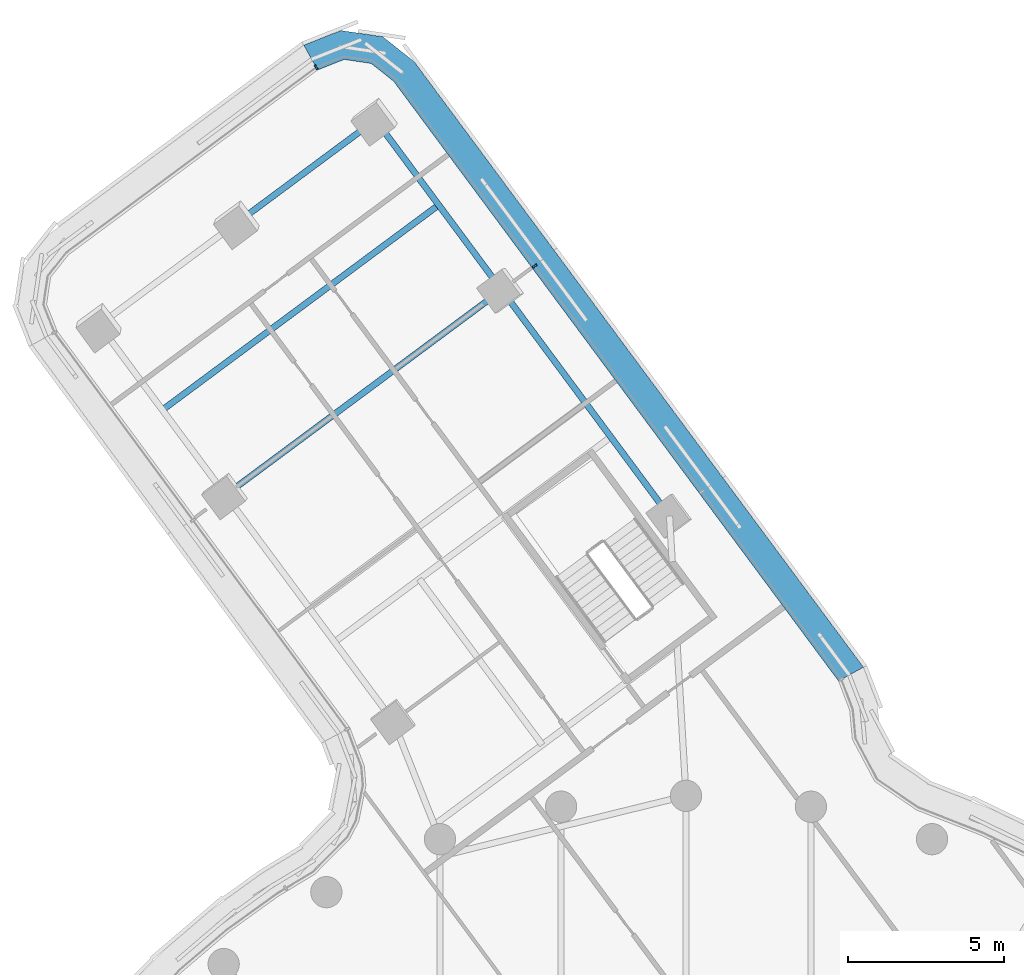
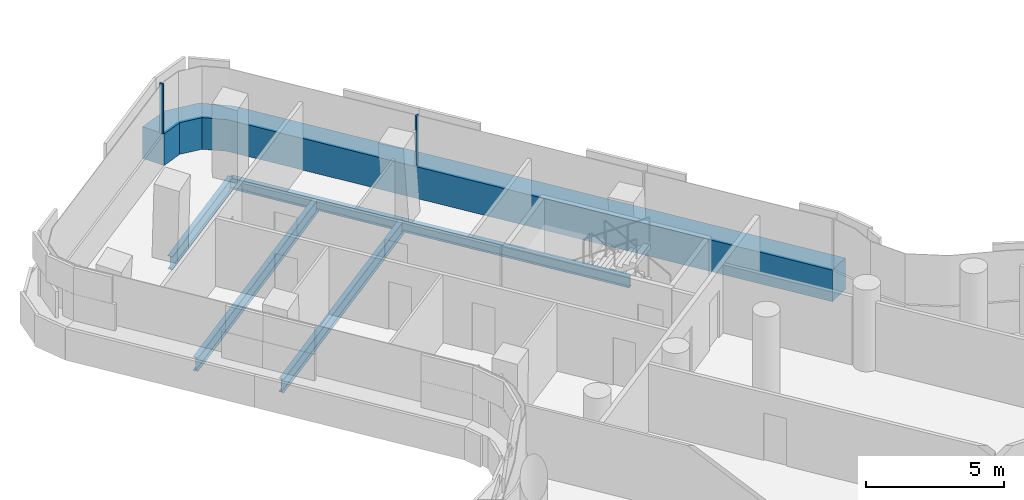
# One storey, part 16 of 32: 5 beams, 3 members, 2 elements without a shape of their own.
"""IFC4 building model written with IfcOpenShell, lengths in metres."""

import ifcopenshell
import ifcopenshell.guid

model = None  # the IFC model being written
_history = None  # IfcOwnerHistory: only IFC2X3 demands one
_inside = {}  # id of a spatial element -> (the spatial element, [elements in it])
_under = {}  # id of a project, library or spatial element -> (it, [spatial elements below it])
_declared = {}  # id of a project -> (the project, [libraries it declares])
_typed = {}  # id of a type object -> (the type object, [elements of that type])
_made_of = {}  # id of a material, layer set ... -> (it, [elements and type objects made of it])


def new_model(schema):
    """Start an empty IFC model of exactly this schema.

    Asked for "IFC4X3", IfcOpenShell would pick the latest addendum, in which some entities
    have other attributes; the version numbers below select the first issue.
    IFC2X3 requires an IfcOwnerHistory on every rooted entity: one is made here for all.
    """
    global model, _history
    if schema == "IFC4X3":
        model = ifcopenshell.file(schema_version=(4, 3, 0, 0))
    else:
        model = ifcopenshell.file(schema=schema)
    _inside.clear()
    _under.clear()
    _declared.clear()
    _typed.clear()
    _made_of.clear()
    _history = None
    if model.schema == "IFC2X3":
        org = make("IfcOrganization", Name="unknown")
        user = make(
            "IfcPersonAndOrganization",
            ThePerson=make("IfcPerson", FamilyName="unknown"),
            TheOrganization=org,
        )
        app = make(
            "IfcApplication",
            ApplicationDeveloper=org,
            Version="unknown",
            ApplicationFullName="unknown",
            ApplicationIdentifier="unknown",
        )
        _history = make(
            "IfcOwnerHistory",
            OwningUser=user,
            OwningApplication=app,
            ChangeAction="ADDED",
            CreationDate=0,
        )
    return model


def make(cls, **values):
    """One entity of the class cls with the attributes given. An attribute that is None is left unset."""
    return model.create_entity(
        cls, **{name: value for name, value in values.items() if value is not None}
    )


def rooted(cls, **values):
    """An entity with a GlobalId (a new one), such as an element, a storey or a relation."""
    return make(cls, GlobalId=ifcopenshell.guid.new(), OwnerHistory=_history, **values)


def si_unit(unit_type, name, prefix=None):
    """IfcSIUnit, for example si_unit("LENGTHUNIT", "METRE", prefix="MILLI")."""
    return make("IfcSIUnit", UnitType=unit_type, Prefix=prefix, Name=name)


def assignment(units):
    """IfcUnitAssignment: the units of a project."""
    return None if units is None else make("IfcUnitAssignment", Units=units)


def point(xyz):
    """IfcCartesianPoint."""
    return None if xyz is None else make("IfcCartesianPoint", Coordinates=xyz)


def direction(xyz):
    """IfcDirection."""
    return None if xyz is None else make("IfcDirection", DirectionRatios=xyz)


def frame(location, z_axis=None, x_axis=None):
    """IfcAxis2Placement3D, a coordinate frame: its origin and axes. An axis left out is left unset."""
    return make(
        "IfcAxis2Placement3D",
        Location=point(location),
        Axis=direction(z_axis),
        RefDirection=direction(x_axis),
    )


def frame_2d(location, x_axis=None):
    """IfcAxis2Placement2D, a coordinate frame in the plane: its origin and x axis."""
    return make(
        "IfcAxis2Placement2D", Location=point(location), RefDirection=direction(x_axis)
    )


def origin():
    """The frame at (0, 0, 0) with its axes left unset."""
    return frame((0.0, 0.0, 0.0))


def origin_2d():
    """The frame at (0, 0) in the plane with its x axis left unset."""
    return frame_2d((0.0, 0.0))


def place(relative_to, where):
    """IfcLocalPlacement: puts the frame where relative to a parent placement (None: the world)."""
    return make(
        "IfcLocalPlacement", PlacementRelTo=relative_to, RelativePlacement=where
    )


def context(
    kind, dimensions, precision=None, world=None, true_north=None, identifier=None
):
    """IfcGeometricRepresentationContext, for example the 3D "Model" context."""
    return make(
        "IfcGeometricRepresentationContext",
        ContextIdentifier=identifier,
        ContextType=kind,
        CoordinateSpaceDimension=dimensions,
        Precision=precision,
        WorldCoordinateSystem=world,
        TrueNorth=true_north,
    )


def subcontext(parent, identifier, kind, view, scale=None):
    """IfcGeometricRepresentationSubContext, for example "Body" below "Model"."""
    return make(
        "IfcGeometricRepresentationSubContext",
        ContextIdentifier=identifier,
        ContextType=kind,
        ParentContext=parent,
        TargetScale=scale,
        TargetView=view,
    )


def project(units=None, contexts=None):
    """IfcProject with its units and contexts."""
    return rooted(
        "IfcProject",
        Name="project",
        RepresentationContexts=contexts,
        UnitsInContext=assignment(units),
    )


def spatial(cls, under=None, at=None, **own):
    """A site, building, storey or space (cls), placed at a placement, below another one or the project."""
    s = rooted(cls, ObjectPlacement=at, **own)
    if under is not None:
        _under.setdefault(under.id(), (under, []))[1].append(s)
    return s


def polyline(points):
    """IfcPolyline through the points."""
    return make("IfcPolyline", Points=[point(p) for p in points])


def profile(cls, at=None, kind="AREA", **sizes):
    """A parametric profile (cls). Its sizes go by their IFC names, for example OverallWidth=200.0."""
    return make(cls, ProfileType=kind, Position=at, **sizes)


def rectangle(**sizes):
    """IfcRectangleProfileDef."""
    return profile("IfcRectangleProfileDef", **sizes)


def i_section(**sizes):
    """IfcIShapeProfileDef."""
    return profile("IfcIShapeProfileDef", **sizes)


def outline(outer, holes=None, kind="AREA"):
    """IfcArbitraryClosedProfileDef: a profile drawn as a closed curve; with holes, ...WithVoids."""
    if holes is None:
        return make("IfcArbitraryClosedProfileDef", ProfileType=kind, OuterCurve=outer)
    return make(
        "IfcArbitraryProfileDefWithVoids",
        ProfileType=kind,
        OuterCurve=outer,
        InnerCurves=holes,
    )


def extrude(swept, where, along, depth):
    """IfcExtrudedAreaSolid: the profile swept, set in the frame where, extruded along a direction by depth."""
    return make(
        "IfcExtrudedAreaSolid",
        SweptArea=swept,
        Position=where,
        ExtrudedDirection=direction(along),
        Depth=depth,
    )


def shape(context_of_items, identifier, shape_type, items):
    """IfcShapeRepresentation: the items that make up one representation, for example the "Body"."""
    return make(
        "IfcShapeRepresentation",
        ContextOfItems=context_of_items,
        RepresentationIdentifier=identifier,
        RepresentationType=shape_type,
        Items=items,
    )


def material(Name=None, Category=None):
    """IfcMaterial."""
    return make("IfcMaterial", Name=Name, Category=Category)


def layer(
    of_material, thickness, ventilated=None, Name=None, Category=None, Priority=None
):
    """IfcMaterialLayer: one layer of a wall or slab, of a material (None: an air gap)."""
    return make(
        "IfcMaterialLayer",
        Material=of_material,
        LayerThickness=thickness,
        IsVentilated=ventilated,
        Name=Name,
        Category=Category,
        Priority=Priority,
    )


def layer_set(layers, Name=None):
    """IfcMaterialLayerSet."""
    return make("IfcMaterialLayerSet", MaterialLayers=layers, LayerSetName=Name)


def material_profile(
    of_material, cross_section, Name=None, Category=None, Priority=None
):
    """IfcMaterialProfile: a cross section and its material."""
    return make(
        "IfcMaterialProfile",
        Name=Name,
        Material=of_material,
        Profile=cross_section,
        Priority=Priority,
        Category=Category,
    )


def profile_set(profiles, Name=None, composite=None):
    """IfcMaterialProfileSet."""
    return make(
        "IfcMaterialProfileSet",
        Name=Name,
        MaterialProfiles=profiles,
        CompositeProfile=composite,
    )


def made_of(thing, what):
    """Note that an element or type object is made of a material, layer set ...; save() writes the relation."""
    if what is not None:
        _made_of.setdefault(what.id(), (what, []))[1].append(thing)
    return thing


def type_object(cls, material=None, **own):
    """A type object (cls), such as IfcWallType, which elements share."""
    return made_of(rooted(cls, **own), material)


def element(
    cls,
    number,
    at=None,
    inside=None,
    cuts=None,
    type_object=None,
    material=None,
    context=None,
    identifier="Body",
    shape_type=None,
    held_by="IfcProductDefinitionShape",
    body=None,
    shapes=None,
    **own,
):
    """One element of the class cls, such as IfcWall. Its Tag is "e" and its number.

    at: its placement. inside: the storey or other place that contains it. cuts: it is an
    opening in that element (IfcRelVoidsElement). A single representation is given by context,
    identifier, shape_type and body (its items); several are given by shapes. held_by: the class
    of the entity that holds the representations. save() writes the other relations.
    """
    e = rooted(cls, Tag="e%d" % number, ObjectPlacement=at, **own)
    if body is not None:
        shapes = [shape(context, identifier, shape_type, body)]
    if shapes is not None:
        e.Representation = make(held_by, Representations=shapes)
    if inside is not None:
        _inside.setdefault(inside.id(), (inside, []))[1].append(e)
    if cuts is not None:
        rooted(
            "IfcRelVoidsElement", RelatingBuildingElement=cuts, RelatedOpeningElement=e
        )
    if type_object is not None:
        _typed.setdefault(type_object.id(), (type_object, []))[1].append(e)
    return made_of(e, material)


def aggregate(whole, parts):
    """IfcRelAggregates: a whole, such as a stair, and the parts it consists of."""
    return rooted("IfcRelAggregates", RelatingObject=whole, RelatedObjects=parts)


def save(model, path):
    """Write the relations noted so far, then the file.

    IfcRelAggregates (storeys below a building ...), IfcRelContainedInSpatialStructure (elements
    in a storey), IfcRelDefinesByType, IfcRelAssociatesMaterial and IfcRelDeclares: one each for
    every whole, place, type object, material and project.
    """
    for whole, parts in _under.values():
        aggregate(whole, parts)
    for where, things in _inside.values():
        rooted(
            "IfcRelContainedInSpatialStructure",
            RelatedElements=things,
            RelatingStructure=where,
        )
    for kind, things in _typed.values():
        rooted("IfcRelDefinesByType", RelatedObjects=things, RelatingType=kind)
    for what, things in _made_of.values():
        rooted("IfcRelAssociatesMaterial", RelatedObjects=things, RelatingMaterial=what)
    for by, libraries in _declared.values():
        rooted("IfcRelDeclares", RelatingContext=by, RelatedDefinitions=libraries)
    model.write(path)


model = new_model("IFC4")

# Units and contexts
model_context = context("Model", 3, precision=1e-05, world=origin(), true_north=direction((0.0, 1.0)))
body_context = subcontext(model_context, "Body", "Model", "MODEL_VIEW")
ifc_project = project(units=[si_unit("LENGTHUNIT", "METRE"), si_unit("AREAUNIT", "SQUARE_METRE"), si_unit("VOLUMEUNIT", "CUBIC_METRE"), si_unit("PLANEANGLEUNIT", "RADIAN"), si_unit("MASSUNIT", "GRAM", prefix="KILO")], contexts=[model_context])

# Site, building, storey
site_placement = place(None, origin())
site = spatial("IfcSite", under=ifc_project, at=site_placement, CompositionType="ELEMENT")
building_placement = place(site_placement, origin())
building = spatial("IfcBuilding", under=site, at=building_placement, Name="Tamarind Cross Interchange Tower", CompositionType="ELEMENT")
storey_placement = place(building_placement, frame((0.0, 0.0, 166.75)))
storey = spatial("IfcBuildingStorey", under=building, at=storey_placement, Name="L41", CompositionType="ELEMENT", Elevation=166.75)

# Beams
ifc_material_1 = material(Name="Steel Q355B", Category="steel")
ifc_material_profile_1 = material_profile(ifc_material_1, i_section(OverallWidth=0.198974609375, OverallDepth=0.49609375, WebThickness=0.009033203125, FlangeThickness=0.013916015625, FilletRadius=0.012939453125, at=origin_2d()), Name="HN 496x199x9x14")
ifc_profile_set_1 = profile_set([ifc_material_profile_1], Name="Steel Q355B")
beam_type_1 = type_object("IfcBeamType", Name="Composite beam HN 496x199x9x14 Q355B", PredefinedType="BEAM", material=ifc_profile_set_1)
beam_1_placement = place(storey_placement, frame((-9.92529296875, 44.611572265625, -0.387939453125), z_axis=(0.595787681716, -0.803141978928, 0.0), x_axis=(0.803141978928, 0.595787681716, 0.0)))
element("IfcBeam", 1, at=beam_1_placement, inside=storey, type_object=beam_type_1, Name="Beam N-edgeem5", PredefinedType="BEAM", context=body_context, shape_type="SweptSolid", body=[
    extrude(i_section(OverallWidth=0.198974609375, OverallDepth=0.49609375, WebThickness=0.009033203125, FlangeThickness=0.013916015625, FilletRadius=0.012939453125, at=origin_2d()), origin(), (0.0, 0.0, 1.0), 6.773681640625),
])
beam_2_placement = place(storey_placement, frame((-5.8896484375, 39.17138671875, -0.387939453125), z_axis=(0.595772989067, -0.803152878036, 0.0), x_axis=(0.803152878036, 0.595772989067, 0.0)))
element("IfcBeam", 2, at=beam_2_placement, inside=storey, type_object=beam_type_1, Name="Beam N-edgeem6", PredefinedType="BEAM", context=body_context, shape_type="SweptSolid", body=[
    extrude(i_section(OverallWidth=0.198974609375, OverallDepth=0.49609375, WebThickness=0.009033203125, FlangeThickness=0.013916015625, FilletRadius=0.012939453125, at=origin_2d()), origin(), (0.0, 0.0, 1.0), 9.000244140625),
])
ifc_material_profile_2 = material_profile(ifc_material_1, i_section(OverallWidth=0.199951171875, OverallDepth=0.60009765625, WebThickness=0.010986328125, FlangeThickness=0.01708984375, FilletRadius=0.012939453125, at=origin_2d()), Name="HN 600x200x11x17")
ifc_profile_set_2 = profile_set([ifc_material_profile_2], Name="Steel Q355B")
beam_type_2 = type_object("IfcBeamType", Name="Composite beam HN 600x200x11x17 Q355B", PredefinedType="BEAM", material=ifc_profile_set_2)
beam_3_placement = place(storey_placement, frame((-9.92529296875, 44.611572265625, -0.43994140625), z_axis=(-0.803137083206, -0.595794281258, 0.0), x_axis=(0.595794281258, -0.803137083206, 0.0)))
element("IfcBeam", 3, at=beam_3_placement, inside=storey, type_object=beam_type_2, Name="Beam N-tip0", PredefinedType="BEAM", context=body_context, shape_type="SweptSolid", body=[
    extrude(i_section(OverallWidth=0.199951171875, OverallDepth=0.60009765625, WebThickness=0.010986328125, FlangeThickness=0.01708984375, FilletRadius=0.012939453125, at=origin_2d()), origin(), (0.0, 0.0, 1.0), 5.5),
])
beam_4_placement = place(storey_placement, frame((-5.8896484375, 39.17138671875, -0.43994140625), z_axis=(-0.803144961463, -0.595783661136, 0.0), x_axis=(0.595783661136, -0.803144961463, 0.0)))
element("IfcBeam", 4, at=beam_4_placement, inside=storey, type_object=beam_type_2, Name="Beam N-x393", PredefinedType="BEAM", context=body_context, shape_type="SweptSolid", body=[
    extrude(i_section(OverallWidth=0.199951171875, OverallDepth=0.60009765625, WebThickness=0.010986328125, FlangeThickness=0.01708984375, FilletRadius=0.012939453125, at=origin_2d()), origin(), (0.0, 0.0, 1.0), 11.000244140625),
])
beam_5_placement = place(storey_placement, frame((-7.907470703125, 41.891357421875, -0.43994140625), z_axis=(-0.803147703478, -0.59577996475, 0.0), x_axis=(0.59577996475, -0.803147703478, 0.0)))
element("IfcBeam", 5, at=beam_5_placement, inside=storey, type_object=beam_type_2, Name="Beam N-x427", PredefinedType="BEAM", context=body_context, shape_type="SweptSolid", body=[
    extrude(i_section(OverallWidth=0.199951171875, OverallDepth=0.60009765625, WebThickness=0.010986328125, FlangeThickness=0.01708984375, FilletRadius=0.012939453125, at=origin_2d()), origin(), (0.0, 0.0, 1.0), 10.999755859375),
])

# Curtain wall, members
ifc_material_2 = material(Name="Aluminium 6063-T6", Category="aluminium")
ifc_layer = layer(ifc_material_2, 0.159912109375)
ifc_layer_set = layer_set([ifc_layer], Name="Aluminium 6063-T6")
curtain_wall_type = type_object("IfcCurtainWallType", Name="Office curtain wall, 9.0 m bays", PredefinedType="NOTDEFINED", material=ifc_layer_set)
curtain_wall_1_placement = place(storey_placement, origin())
curtain_wall_1 = element("IfcCurtainWall", 6, at=curtain_wall_1_placement, inside=storey, type_object=curtain_wall_type, Name="CWS-L41-03", PredefinedType="NOTDEFINED")
ifc_material_3 = material(Name="Aluminium and insulated spandrel panel", Category="aluminium")
member_type_1 = type_object("IfcMemberType", Name="Floor-edge blade transom", PredefinedType="USERDEFINED", material=ifc_material_3)
member_1_placement = place(storey_placement, origin())
member_1 = element("IfcMember", 7, at=member_1_placement, type_object=member_type_1, Name="CWT-L41-03", ObjectType="TRANSOM", PredefinedType="USERDEFINED", context=body_context, shape_type="SweptSolid", body=[
    extrude(outline(polyline([(4.876220703125, 26.67236328125), (-9.347412109375, 45.846923828125), (-10.064453125, 46.416015625), (-10.9296875, 46.544189453125), (-11.781005859375, 46.20751953125), (-12.221923828125, 47.0009765625), (-11.0361328125, 47.4697265625), (-9.694091796875, 47.270751953125), (-8.6953125, 46.478271484375), (5.6728515625, 27.109130859375), (4.876220703125, 26.67236328125)])), origin(), (0.0, 0.0, 1.0), 1.39990234375),
])
ifc_material_profile_3 = material_profile(ifc_material_2, rectangle(XDim=0.06005859375, YDim=0.159912109375, at=origin_2d()), Name="Mullion CW1")
ifc_profile_set_3 = profile_set([ifc_material_profile_3], Name="Aluminium 6063-T6")
member_type_2 = type_object("IfcMemberType", Name="Mullion CW1", PredefinedType="MULLION", material=ifc_profile_set_3)
member_2_placement = place(storey_placement, frame((-4.83984375, 39.938232421875, 1.39990234375), z_axis=(0.0, 0.0, 1.0), x_axis=(-0.595776404136, 0.803150344752, 0.0)))
member_2 = element("IfcMember", 8, at=member_2_placement, type_object=member_type_2, Name="CWM-L41-03-02", PredefinedType="MULLION", context=body_context, shape_type="SweptSolid", body=[
    extrude(rectangle(XDim=0.06005859375, YDim=0.159912109375, at=origin_2d()), origin(), (0.0, 0.0, 1.0), 2.210205078125),
])
aggregate(curtain_wall_1, [member_2, member_1])

# Curtain wall, member
curtain_wall_2_placement = place(storey_placement, origin())
curtain_wall_2 = element("IfcCurtainWall", 9, at=curtain_wall_2_placement, inside=storey, type_object=curtain_wall_type, Name="CWS-L41-04", PredefinedType="NOTDEFINED")
member_3_placement = place(storey_placement, frame((-11.829833984375, 46.2958984375, 1.39990234375), z_axis=(0.0, 0.0, 1.0), x_axis=(-0.874043707661, -0.485847298127, 0.0)))
member_3 = element("IfcMember", 10, at=member_3_placement, type_object=member_type_2, Name="CWM-L41-04-00", PredefinedType="MULLION", context=body_context, shape_type="SweptSolid", body=[
    extrude(rectangle(XDim=0.06005859375, YDim=0.159912109375, at=origin_2d()), origin(), (0.0, 0.0, 1.0), 2.210205078125),
])
aggregate(curtain_wall_2, [member_3])

save(model, "model.ifc")
